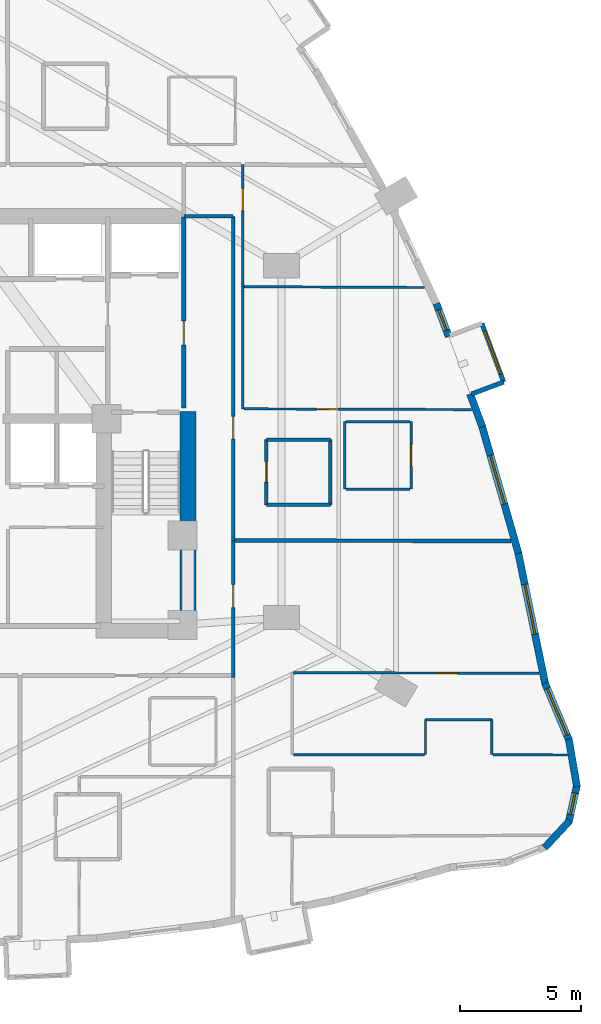
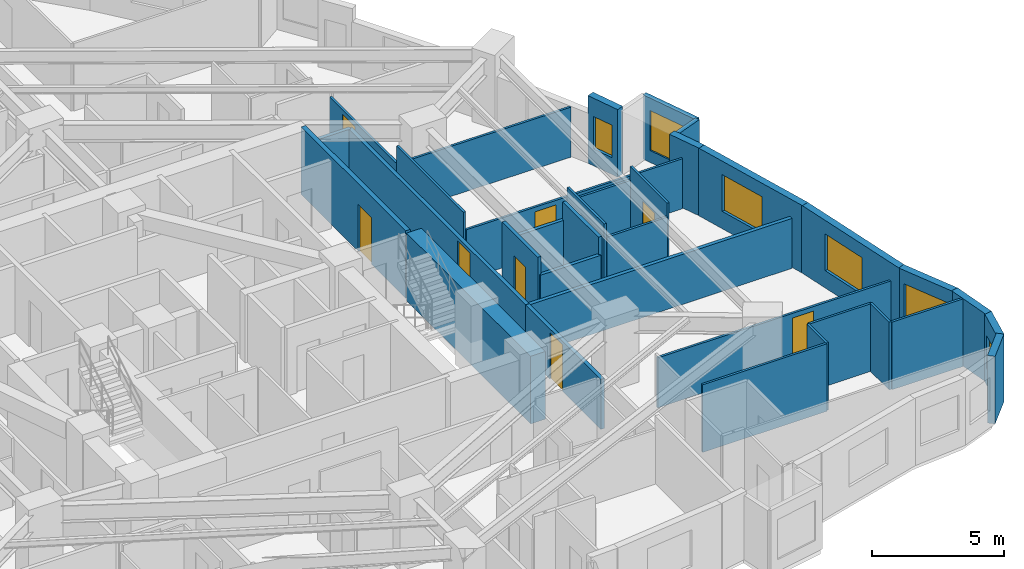
# One storey, part 12 of 16: 34 walls, 8 doors, 6 windows, 14 openings.
"""IFC4 building model written with IfcOpenShell, lengths in metres."""

import ifcopenshell
import ifcopenshell.guid

model = None  # the IFC model being written
_history = None  # IfcOwnerHistory: only IFC2X3 demands one
_inside = {}  # id of a spatial element -> (the spatial element, [elements in it])
_under = {}  # id of a project, library or spatial element -> (it, [spatial elements below it])
_declared = {}  # id of a project -> (the project, [libraries it declares])
_typed = {}  # id of a type object -> (the type object, [elements of that type])
_made_of = {}  # id of a material, layer set ... -> (it, [elements and type objects made of it])


def new_model(schema):
    """Start an empty IFC model of exactly this schema.

    Asked for "IFC4X3", IfcOpenShell would pick the latest addendum, in which some entities
    have other attributes; the version numbers below select the first issue.
    IFC2X3 requires an IfcOwnerHistory on every rooted entity: one is made here for all.
    """
    global model, _history
    if schema == "IFC4X3":
        model = ifcopenshell.file(schema_version=(4, 3, 0, 0))
    else:
        model = ifcopenshell.file(schema=schema)
    _inside.clear()
    _under.clear()
    _declared.clear()
    _typed.clear()
    _made_of.clear()
    _history = None
    if model.schema == "IFC2X3":
        org = make("IfcOrganization", Name="unknown")
        user = make(
            "IfcPersonAndOrganization",
            ThePerson=make("IfcPerson", FamilyName="unknown"),
            TheOrganization=org,
        )
        app = make(
            "IfcApplication",
            ApplicationDeveloper=org,
            Version="unknown",
            ApplicationFullName="unknown",
            ApplicationIdentifier="unknown",
        )
        _history = make(
            "IfcOwnerHistory",
            OwningUser=user,
            OwningApplication=app,
            ChangeAction="ADDED",
            CreationDate=0,
        )
    return model


def make(cls, **values):
    """One entity of the class cls with the attributes given. An attribute that is None is left unset."""
    return model.create_entity(
        cls, **{name: value for name, value in values.items() if value is not None}
    )


def rooted(cls, **values):
    """An entity with a GlobalId (a new one), such as an element, a storey or a relation."""
    return make(cls, GlobalId=ifcopenshell.guid.new(), OwnerHistory=_history, **values)


def si_unit(unit_type, name, prefix=None):
    """IfcSIUnit, for example si_unit("LENGTHUNIT", "METRE", prefix="MILLI")."""
    return make("IfcSIUnit", UnitType=unit_type, Prefix=prefix, Name=name)


def assignment(units):
    """IfcUnitAssignment: the units of a project."""
    return None if units is None else make("IfcUnitAssignment", Units=units)


def point(xyz):
    """IfcCartesianPoint."""
    return None if xyz is None else make("IfcCartesianPoint", Coordinates=xyz)


def direction(xyz):
    """IfcDirection."""
    return None if xyz is None else make("IfcDirection", DirectionRatios=xyz)


def frame(location, z_axis=None, x_axis=None):
    """IfcAxis2Placement3D, a coordinate frame: its origin and axes. An axis left out is left unset."""
    return make(
        "IfcAxis2Placement3D",
        Location=point(location),
        Axis=direction(z_axis),
        RefDirection=direction(x_axis),
    )


def frame_2d(location, x_axis=None):
    """IfcAxis2Placement2D, a coordinate frame in the plane: its origin and x axis."""
    return make(
        "IfcAxis2Placement2D", Location=point(location), RefDirection=direction(x_axis)
    )


def origin():
    """The frame at (0, 0, 0) with its axes left unset."""
    return frame((0.0, 0.0, 0.0))


def place(relative_to, where):
    """IfcLocalPlacement: puts the frame where relative to a parent placement (None: the world)."""
    return make(
        "IfcLocalPlacement", PlacementRelTo=relative_to, RelativePlacement=where
    )


def context(
    kind, dimensions, precision=None, world=None, true_north=None, identifier=None
):
    """IfcGeometricRepresentationContext, for example the 3D "Model" context."""
    return make(
        "IfcGeometricRepresentationContext",
        ContextIdentifier=identifier,
        ContextType=kind,
        CoordinateSpaceDimension=dimensions,
        Precision=precision,
        WorldCoordinateSystem=world,
        TrueNorth=true_north,
    )


def subcontext(parent, identifier, kind, view, scale=None):
    """IfcGeometricRepresentationSubContext, for example "Body" below "Model"."""
    return make(
        "IfcGeometricRepresentationSubContext",
        ContextIdentifier=identifier,
        ContextType=kind,
        ParentContext=parent,
        TargetScale=scale,
        TargetView=view,
    )


def project(units=None, contexts=None):
    """IfcProject with its units and contexts."""
    return rooted(
        "IfcProject",
        Name="project",
        RepresentationContexts=contexts,
        UnitsInContext=assignment(units),
    )


def spatial(cls, under=None, at=None, **own):
    """A site, building, storey or space (cls), placed at a placement, below another one or the project."""
    s = rooted(cls, ObjectPlacement=at, **own)
    if under is not None:
        _under.setdefault(under.id(), (under, []))[1].append(s)
    return s


def profile(cls, at=None, kind="AREA", **sizes):
    """A parametric profile (cls). Its sizes go by their IFC names, for example OverallWidth=200.0."""
    return make(cls, ProfileType=kind, Position=at, **sizes)


def rectangle(**sizes):
    """IfcRectangleProfileDef."""
    return profile("IfcRectangleProfileDef", **sizes)


def extrude(swept, where, along, depth):
    """IfcExtrudedAreaSolid: the profile swept, set in the frame where, extruded along a direction by depth."""
    return make(
        "IfcExtrudedAreaSolid",
        SweptArea=swept,
        Position=where,
        ExtrudedDirection=direction(along),
        Depth=depth,
    )


def shape(context_of_items, identifier, shape_type, items):
    """IfcShapeRepresentation: the items that make up one representation, for example the "Body"."""
    return make(
        "IfcShapeRepresentation",
        ContextOfItems=context_of_items,
        RepresentationIdentifier=identifier,
        RepresentationType=shape_type,
        Items=items,
    )


def material(Name=None, Category=None):
    """IfcMaterial."""
    return make("IfcMaterial", Name=Name, Category=Category)


def layer(
    of_material, thickness, ventilated=None, Name=None, Category=None, Priority=None
):
    """IfcMaterialLayer: one layer of a wall or slab, of a material (None: an air gap)."""
    return make(
        "IfcMaterialLayer",
        Material=of_material,
        LayerThickness=thickness,
        IsVentilated=ventilated,
        Name=Name,
        Category=Category,
        Priority=Priority,
    )


def layer_set(layers, Name=None):
    """IfcMaterialLayerSet."""
    return make("IfcMaterialLayerSet", MaterialLayers=layers, LayerSetName=Name)


def made_of(thing, what):
    """Note that an element or type object is made of a material, layer set ...; save() writes the relation."""
    if what is not None:
        _made_of.setdefault(what.id(), (what, []))[1].append(thing)
    return thing


def type_object(cls, material=None, **own):
    """A type object (cls), such as IfcWallType, which elements share."""
    return made_of(rooted(cls, **own), material)


def element(
    cls,
    number,
    at=None,
    inside=None,
    cuts=None,
    type_object=None,
    material=None,
    context=None,
    identifier="Body",
    shape_type=None,
    held_by="IfcProductDefinitionShape",
    body=None,
    shapes=None,
    **own,
):
    """One element of the class cls, such as IfcWall. Its Tag is "e" and its number.

    at: its placement. inside: the storey or other place that contains it. cuts: it is an
    opening in that element (IfcRelVoidsElement). A single representation is given by context,
    identifier, shape_type and body (its items); several are given by shapes. held_by: the class
    of the entity that holds the representations. save() writes the other relations.
    """
    e = rooted(cls, Tag="e%d" % number, ObjectPlacement=at, **own)
    if body is not None:
        shapes = [shape(context, identifier, shape_type, body)]
    if shapes is not None:
        e.Representation = make(held_by, Representations=shapes)
    if inside is not None:
        _inside.setdefault(inside.id(), (inside, []))[1].append(e)
    if cuts is not None:
        rooted(
            "IfcRelVoidsElement", RelatingBuildingElement=cuts, RelatedOpeningElement=e
        )
    if type_object is not None:
        _typed.setdefault(type_object.id(), (type_object, []))[1].append(e)
    return made_of(e, material)


def fill(opening, filler):
    """IfcRelFillsElement: the door or window that sits in an opening."""
    return rooted(
        "IfcRelFillsElement",
        RelatingOpeningElement=opening,
        RelatedBuildingElement=filler,
    )


def aggregate(whole, parts):
    """IfcRelAggregates: a whole, such as a stair, and the parts it consists of."""
    return rooted("IfcRelAggregates", RelatingObject=whole, RelatedObjects=parts)


def save(model, path):
    """Write the relations noted so far, then the file.

    IfcRelAggregates (storeys below a building ...), IfcRelContainedInSpatialStructure (elements
    in a storey), IfcRelDefinesByType, IfcRelAssociatesMaterial and IfcRelDeclares: one each for
    every whole, place, type object, material and project.
    """
    for whole, parts in _under.values():
        aggregate(whole, parts)
    for where, things in _inside.values():
        rooted(
            "IfcRelContainedInSpatialStructure",
            RelatedElements=things,
            RelatingStructure=where,
        )
    for kind, things in _typed.values():
        rooted("IfcRelDefinesByType", RelatedObjects=things, RelatingType=kind)
    for what, things in _made_of.values():
        rooted("IfcRelAssociatesMaterial", RelatedObjects=things, RelatingMaterial=what)
    for by, libraries in _declared.values():
        rooted("IfcRelDeclares", RelatingContext=by, RelatedDefinitions=libraries)
    model.write(path)


model = new_model("IFC4")

# Units and contexts
model_context = context("Model", 3, precision=1e-05, world=origin(), true_north=direction((0.0, 1.0)))
body_context = subcontext(model_context, "Body", "Model", "MODEL_VIEW")
ifc_project = project(units=[si_unit("LENGTHUNIT", "METRE"), si_unit("AREAUNIT", "SQUARE_METRE"), si_unit("VOLUMEUNIT", "CUBIC_METRE"), si_unit("PLANEANGLEUNIT", "RADIAN"), si_unit("MASSUNIT", "GRAM", prefix="KILO")], contexts=[model_context])

# Site, building, storey
site_placement = place(None, origin())
site = spatial("IfcSite", under=ifc_project, at=site_placement, CompositionType="ELEMENT")
building_placement = place(site_placement, origin())
building = spatial("IfcBuilding", under=site, at=building_placement, Name="Miruveldt Soraemaru", CompositionType="ELEMENT")
storey_placement = place(building_placement, frame((0.0, 0.0, 42.800048828125)))
storey = spatial("IfcBuildingStorey", under=building, at=storey_placement, Name="L11", CompositionType="ELEMENT", Elevation=42.800048828125)

# Wall
ifc_material_1 = material(Name="White powder-coated aluminium EN AW-6060 T6", Category="aluminium")
ifc_layer_1 = layer(ifc_material_1, 0.18994140625, Name="White powder-coated aluminium EN AW-6060 T6", Category="aluminium")
ifc_layer_set_1 = layer_set([ifc_layer_1], Name="White powder-coated aluminium EN AW-6060 T6")
wall_type_1 = type_object("IfcWallType", Name="WALL-BAY-ALU190", PredefinedType="SOLIDWALL", material=ifc_layer_set_1)
wall_1_placement = place(storey_placement, frame((64.49072265625, 45.074951171875, 0.0), z_axis=(0.0, 0.0, 1.0), x_axis=(0.937129361406, 0.348982177182, 0.0)))
element("IfcWall", 1, at=wall_1_placement, inside=storey, type_object=wall_type_1, Name="L11 Bay Window Side Cheek 4L", PredefinedType="SOLIDWALL", context=body_context, shape_type="SweptSolid", body=[
    extrude(rectangle(XDim=1.425048828125, YDim=0.18994140625, at=frame_2d((0.71240234375, 0.0))), origin(), (0.0, 0.0, 1.0), 2.974853515625),
])

# Wall, opening, window
wall_2_placement = place(storey_placement, frame((65.826171875, 45.572265625, 0.0), z_axis=(0.0, 0.0, 1.0), x_axis=(-0.349023333144, 0.937114034107, 0.0)))
wall_2 = element("IfcWall", 2, at=wall_2_placement, inside=storey, type_object=wall_type_1, Name="L11 Bay Window Front Frame 4", PredefinedType="SOLIDWALL", context=body_context, shape_type="SweptSolid", body=[
    extrude(rectangle(XDim=2.60009765625, YDim=0.18994140625, at=frame_2d((1.300048828125, 0.0))), origin(), (0.0, 0.0, 1.0), 2.974853515625),
])
opening_1_placement = place(wall_2_placement, frame((0.35009765625, 0.0, 0.550048828125)))
opening_1 = element("IfcOpeningElement", 3, at=opening_1_placement, cuts=wall_2, Name="Opening WN-6", PredefinedType="OPENING", context=body_context, shape_type="SweptSolid", body=[
    extrude(rectangle(XDim=1.89990234375, YDim=1.85009765625, at=frame_2d((0.949951171875, 0.925048828125))), frame((0.0, 0.10498046875, 0.0), z_axis=(0.0, -1.0, 0.0), x_axis=(1.0, 0.0, 0.0)), (0.0, 0.0, 1.0), 0.2099609375),
])
ifc_material_2 = material(Name="Triple low-e insulated glazing", Category="glass")
window_type_1 = type_object("IfcWindowType", Name="WIN-BAYW-1900x1850", PartitioningType="SINGLE_PANEL", PredefinedType="WINDOW", material=ifc_material_2)
window_1_placement = place(opening_1_placement, origin())
window_1 = element("IfcWindow", 4, at=window_1_placement, inside=storey, type_object=window_type_1, Name="L11 Projecting Bay Window 4", OverallHeight=1.85009765625, OverallWidth=1.89990234375, PartitioningType="SINGLE_PANEL", PredefinedType="WINDOW", context=body_context, shape_type="SweptSolid", body=[
    extrude(rectangle(XDim=1.89990234375, YDim=1.85009765625, at=frame_2d((0.949951171875, 0.925048828125))), frame((0.0, 0.030029296875, 0.0), z_axis=(0.0, -1.0, 0.0), x_axis=(1.0, 0.0, 0.0)), (0.0, 0.0, 1.0), 0.06005859375),
])
fill(opening_1, window_1)

# Walls
ifc_material_3 = material(Name="Concrete C80/95 (80 MPa)", Category="concrete")
ifc_layer_2 = layer(ifc_material_3, 0.64990234375, Name="Concrete C80/95 (80 MPa)", Category="concrete")
ifc_layer_set_2 = layer_set([ifc_layer_2], Name="Concrete C80/95 (80 MPa)")
wall_type_2 = type_object("IfcWallType", Name="WALL-CW-650", PredefinedType="SHEAR", material=ifc_layer_set_2)
wall_3_placement = place(storey_placement, frame((52.72509765625, 34.949951171875, 0.0), z_axis=(0.0, 0.0, 1.0), x_axis=(0.0, 1.0, 0.0)))
element("IfcWall", 5, at=wall_3_placement, inside=storey, type_object=wall_type_2, Name="L11 Central Core Shear Wall E1", PredefinedType="SHEAR", context=body_context, shape_type="SweptSolid", body=[
    extrude(rectangle(XDim=9.400146484375, YDim=0.64990234375, at=frame_2d((4.7001953125, 0.0))), origin(), (0.0, 0.0, 1.0), 3.125),
])
ifc_material_4 = material(Name="Precast concrete C45/55 (45 MPa)", Category="concrete")
ifc_layer_3 = layer(ifc_material_4, 0.300048828125, Name="Precast concrete C45/55 (45 MPa)", Category="concrete")
ifc_layer_set_3 = layer_set([ifc_layer_3], Name="Precast concrete C45/55 (45 MPa)")
wall_type_3 = type_object("IfcWallType", Name="WALL-EXT-PC300", PredefinedType="SOLIDWALL", material=ifc_layer_set_3)
wall_4_placement = place(storey_placement, frame((67.52294921875, 26.253173828125, 0.0), z_axis=(0.0, 0.0, 1.0), x_axis=(0.680191520786, 0.733034443291, 0.0)))
element("IfcWall", 6, at=wall_4_placement, inside=storey, type_object=wall_type_3, Name="L11 Precast Concrete Facade Wall 31", PredefinedType="SOLIDWALL", context=body_context, shape_type="SweptSolid", body=[
    extrude(rectangle(XDim=1.515380859375, YDim=0.300048828125, at=frame_2d((0.7578125, 0.0))), origin(), (0.0, 0.0, 1.0), 3.125),
])

# Wall, opening, window
wall_5_placement = place(storey_placement, frame((68.522216796875, 27.303955078125, 0.0), z_axis=(0.0, 0.0, 1.0), x_axis=(0.215694028495, 0.976461000794, 0.0)))
wall_5 = element("IfcWall", 7, at=wall_5_placement, inside=storey, type_object=wall_type_3, Name="L11 Precast Concrete Facade Wall 32", PredefinedType="SOLIDWALL", context=body_context, shape_type="SweptSolid", body=[
    extrude(rectangle(XDim=1.589111328125, YDim=0.300048828125, at=frame_2d((0.79443359375, 0.0))), origin(), (0.0, 0.0, 1.0), 3.125),
])
opening_2_placement = place(wall_5_placement, frame((0.343994140625, 0.0, 0.780029296875)))
opening_2 = element("IfcOpeningElement", 8, at=opening_2_placement, cuts=wall_5, Name="Opening WN-7", PredefinedType="OPENING", context=body_context, shape_type="SweptSolid", body=[
    extrude(rectangle(XDim=0.89990234375, YDim=1.5, at=frame_2d((0.449951171875, 0.75))), frame((0.0, 0.16015625, 0.0), z_axis=(0.0, -1.0, 0.0), x_axis=(1.0, 0.0, 0.0)), (0.0, 0.0, 1.0), 0.320068359375),
])
window_type_2 = type_object("IfcWindowType", Name="WIN-PUNCH-900x1500", PartitioningType="SINGLE_PANEL", PredefinedType="WINDOW", material=ifc_material_2)
window_2_placement = place(opening_2_placement, origin())
window_2 = element("IfcWindow", 9, at=window_2_placement, inside=storey, type_object=window_type_2, Name="L11 Punched Triple-Glazed Window 32.1", OverallHeight=1.5, OverallWidth=0.89990234375, PartitioningType="SINGLE_PANEL", PredefinedType="WINDOW", context=body_context, shape_type="SweptSolid", body=[
    extrude(rectangle(XDim=0.89990234375, YDim=1.5, at=frame_2d((0.449951171875, 0.75))), frame((0.0, 0.030029296875, 0.0), z_axis=(0.0, -1.0, 0.0), x_axis=(1.0, 0.0, 0.0)), (0.0, 0.0, 1.0), 0.06005859375),
])
fill(opening_2, window_2)

# Wall
wall_6_placement = place(storey_placement, frame((68.86328125, 28.787109375, 0.0), z_axis=(0.0, 0.0, 1.0), x_axis=(-0.169274776515, 0.985568896646, 0.0)))
element("IfcWall", 10, at=wall_6_placement, inside=storey, type_object=wall_type_3, Name="L11 Precast Concrete Facade Wall 33", PredefinedType="SOLIDWALL", context=body_context, shape_type="SweptSolid", body=[
    extrude(rectangle(XDim=2.0048828125, YDim=0.300048828125, at=frame_2d((1.00244140625, 0.0))), origin(), (0.0, 0.0, 1.0), 3.125),
])

# Wall, opening, window
wall_7_placement = place(storey_placement, frame((68.54345703125, 30.6962890625, 0.0), z_axis=(0.0, 0.0, 1.0), x_axis=(-0.388619532782, 0.921398317092, 0.0)))
wall_7 = element("IfcWall", 11, at=wall_7_placement, inside=storey, type_object=wall_type_3, Name="L11 Precast Concrete Facade Wall 34", PredefinedType="SOLIDWALL", context=body_context, shape_type="SweptSolid", body=[
    extrude(rectangle(XDim=2.599609375, YDim=0.300048828125, at=frame_2d((1.2998046875, 0.0))), origin(), (0.0, 0.0, 1.0), 3.125),
])
opening_3_placement = place(wall_7_placement, frame((0.25, 0.0, 0.800048828125)))
opening_3 = element("IfcOpeningElement", 12, at=opening_3_placement, cuts=wall_7, Name="Opening WN-1", PredefinedType="OPENING", context=body_context, shape_type="SweptSolid", body=[
    extrude(rectangle(XDim=2.10009765625, YDim=1.699951171875, at=frame_2d((1.050048828125, 0.85009765625))), frame((0.0, 0.16015625, 0.0), z_axis=(0.0, -1.0, 0.0), x_axis=(1.0, 0.0, 0.0)), (0.0, 0.0, 1.0), 0.320068359375),
])
window_type_3 = type_object("IfcWindowType", Name="WIN-PUNCH-2100x1700", PartitioningType="SINGLE_PANEL", PredefinedType="WINDOW", material=ifc_material_2)
window_3_placement = place(opening_3_placement, origin())
window_3 = element("IfcWindow", 13, at=window_3_placement, inside=storey, type_object=window_type_3, Name="L11 Punched Triple-Glazed Window 34.1", OverallHeight=1.699951171875, OverallWidth=2.10009765625, PartitioningType="SINGLE_PANEL", PredefinedType="WINDOW", context=body_context, shape_type="SweptSolid", body=[
    extrude(rectangle(XDim=2.10009765625, YDim=1.699951171875, at=frame_2d((1.050048828125, 0.85009765625))), frame((0.0, 0.030029296875, 0.0), z_axis=(0.0, -1.0, 0.0), x_axis=(1.0, 0.0, 0.0)), (0.0, 0.0, 1.0), 0.06005859375),
])
fill(opening_3, window_3)

wall_8_placement = place(storey_placement, frame((67.5537109375, 33.02490234375, 0.0), z_axis=(0.0, 0.0, 1.0), x_axis=(-0.201536618175, 0.979480980691, 0.0)))
wall_8 = element("IfcWall", 14, at=wall_8_placement, inside=storey, type_object=wall_type_3, Name="L11 Precast Concrete Facade Wall 35", PredefinedType="SOLIDWALL", context=body_context, shape_type="SweptSolid", body=[
    extrude(rectangle(XDim=5.626953125, YDim=0.300048828125, at=frame_2d((2.8134765625, 0.0))), origin(), (0.0, 0.0, 1.0), 3.125),
])
opening_4_placement = place(wall_8_placement, frame((2.139892578125, 0.0, 0.800048828125)))
opening_4 = element("IfcOpeningElement", 15, at=opening_4_placement, cuts=wall_8, Name="Opening WN-1", PredefinedType="OPENING", context=body_context, shape_type="SweptSolid", body=[
    extrude(rectangle(XDim=2.10009765625, YDim=1.699951171875, at=frame_2d((1.050048828125, 0.85009765625))), frame((0.0, 0.16015625, 0.0), z_axis=(0.0, -1.0, 0.0), x_axis=(1.0, 0.0, 0.0)), (0.0, 0.0, 1.0), 0.320068359375),
])
window_4_placement = place(opening_4_placement, origin())
window_4 = element("IfcWindow", 16, at=window_4_placement, inside=storey, type_object=window_type_3, Name="L11 Punched Triple-Glazed Window 35.1", OverallHeight=1.699951171875, OverallWidth=2.10009765625, PartitioningType="SINGLE_PANEL", PredefinedType="WINDOW", context=body_context, shape_type="SweptSolid", body=[
    extrude(rectangle(XDim=2.10009765625, YDim=1.699951171875, at=frame_2d((1.050048828125, 0.85009765625))), frame((0.0, 0.030029296875, 0.0), z_axis=(0.0, -1.0, 0.0), x_axis=(1.0, 0.0, 0.0)), (0.0, 0.0, 1.0), 0.06005859375),
])
fill(opening_4, window_4)

wall_9_placement = place(storey_placement, frame((66.436279296875, 38.468505859375, 0.0), z_axis=(0.0, 0.0, 1.0), x_axis=(-0.274971983341, 0.96145223926, 0.0)))
wall_9 = element("IfcWall", 17, at=wall_9_placement, inside=storey, type_object=wall_type_3, Name="L11 Precast Concrete Facade Wall 36", PredefinedType="SOLIDWALL", context=body_context, shape_type="SweptSolid", body=[
    extrude(rectangle(XDim=5.527099609375, YDim=0.300048828125, at=frame_2d((2.763671875, 0.0))), origin(), (0.0, 0.0, 1.0), 3.125),
])
opening_5_placement = place(wall_9_placement, frame((2.1220703125, 0.0, 0.800048828125)))
opening_5 = element("IfcOpeningElement", 18, at=opening_5_placement, cuts=wall_9, Name="Opening WN-1", PredefinedType="OPENING", context=body_context, shape_type="SweptSolid", body=[
    extrude(rectangle(XDim=2.10009765625, YDim=1.699951171875, at=frame_2d((1.050048828125, 0.85009765625))), frame((0.0, 0.16015625, 0.0), z_axis=(0.0, -1.0, 0.0), x_axis=(1.0, 0.0, 0.0)), (0.0, 0.0, 1.0), 0.320068359375),
])
window_5_placement = place(opening_5_placement, origin())
window_5 = element("IfcWindow", 19, at=window_5_placement, inside=storey, type_object=window_type_3, Name="L11 Punched Triple-Glazed Window 36.1", OverallHeight=1.699951171875, OverallWidth=2.10009765625, PartitioningType="SINGLE_PANEL", PredefinedType="WINDOW", context=body_context, shape_type="SweptSolid", body=[
    extrude(rectangle(XDim=2.10009765625, YDim=1.699951171875, at=frame_2d((1.050048828125, 0.85009765625))), frame((0.0, 0.030029296875, 0.0), z_axis=(0.0, -1.0, 0.0), x_axis=(1.0, 0.0, 0.0)), (0.0, 0.0, 1.0), 0.06005859375),
])
fill(opening_5, window_5)

# Wall
wall_10_placement = place(storey_placement, frame((64.938232421875, 43.7158203125, 0.0), z_axis=(0.0, 0.0, 1.0), x_axis=(-0.349051427871, 0.93710356989, 0.0)))
element("IfcWall", 20, at=wall_10_placement, inside=storey, type_object=wall_type_3, Name="L11 Precast Pier Wall 37A", PredefinedType="SOLIDWALL", context=body_context, shape_type="SweptSolid", body=[
    extrude(rectangle(XDim=1.459716796875, YDim=0.300048828125, at=frame_2d((0.72998046875, 0.0))), origin(), (0.0, 0.0, 1.0), 3.125),
])

# Wall, opening, window
wall_11_placement = place(storey_placement, frame((63.54248046875, 47.464111328125, 0.0), z_axis=(0.0, 0.0, 1.0), x_axis=(-0.349051427871, 0.93710356989, 0.0)))
wall_11 = element("IfcWall", 21, at=wall_11_placement, inside=storey, type_object=wall_type_3, Name="L11 Precast Pier Wall 37B", PredefinedType="SOLIDWALL", context=body_context, shape_type="SweptSolid", body=[
    extrude(rectangle(XDim=1.459716796875, YDim=0.300048828125, at=frame_2d((0.72998046875, 0.0))), origin(), (0.0, 0.0, 1.0), 3.125),
])
opening_6_placement = place(wall_11_placement, frame((0.280029296875, 0.0, 0.780029296875)))
opening_6 = element("IfcOpeningElement", 22, at=opening_6_placement, cuts=wall_11, Name="Opening WN-7", PredefinedType="OPENING", context=body_context, shape_type="SweptSolid", body=[
    extrude(rectangle(XDim=0.89990234375, YDim=1.5, at=frame_2d((0.449951171875, 0.75))), frame((0.0, 0.16015625, 0.0), z_axis=(0.0, -1.0, 0.0), x_axis=(1.0, 0.0, 0.0)), (0.0, 0.0, 1.0), 0.320068359375),
])
window_6_placement = place(opening_6_placement, origin())
window_6 = element("IfcWindow", 23, at=window_6_placement, inside=storey, type_object=window_type_2, Name="L11 Punched Triple-Glazed Window 37B.1", OverallHeight=1.5, OverallWidth=0.89990234375, PartitioningType="SINGLE_PANEL", PredefinedType="WINDOW", context=body_context, shape_type="SweptSolid", body=[
    extrude(rectangle(XDim=0.89990234375, YDim=1.5, at=frame_2d((0.449951171875, 0.75))), frame((0.0, 0.030029296875, 0.0), z_axis=(0.0, -1.0, 0.0), x_axis=(1.0, 0.0, 0.0)), (0.0, 0.0, 1.0), 0.06005859375),
])
fill(opening_6, window_6)

# Wall, opening, door
ifc_material_5 = material(Name="Gypsum plasterboard lining", Category="gypsum")
ifc_layer_4 = layer(ifc_material_5, 0.10009765625, Name="Gypsum plasterboard lining", Category="gypsum")
ifc_layer_set_4 = layer_set([ifc_layer_4], Name="Gypsum plasterboard lining")
wall_type_4 = type_object("IfcWallType", Name="WALL-INT-P100", PredefinedType="PARTITIONING", material=ifc_layer_set_4)
wall_12_placement = place(storey_placement, frame((57.10009765625, 33.510986328125, 0.0), z_axis=(0.0, 0.0, 1.0), x_axis=(0.999998593353, -0.001677287141, 0.0)))
wall_12 = element("IfcWall", 24, at=wall_12_placement, inside=storey, type_object=wall_type_4, Name="L11 Partition Wall 87", PredefinedType="PARTITIONING", context=body_context, shape_type="SweptSolid", body=[
    extrude(rectangle(XDim=10.18896484375, YDim=0.10009765625, at=frame_2d((5.094482421875, 0.0))), origin(), (0.0, 0.0, 1.0), 2.31298828125),
])
opening_7_placement = place(wall_12_placement, frame((5.89501953125, 0.0, 0.0)))
opening_7 = element("IfcOpeningElement", 25, at=opening_7_placement, cuts=wall_12, Name="Opening D3A", PredefinedType="OPENING", context=body_context, shape_type="SweptSolid", body=[
    extrude(rectangle(XDim=0.919921875, YDim=2.10009765625, at=frame_2d((0.4599609375, 1.050048828125))), frame((0.0, 0.06005859375, 0.0), z_axis=(0.0, -1.0, 0.0), x_axis=(1.0, 0.0, 0.0)), (0.0, 0.0, 1.0), 0.1201171875),
])
ifc_material_6 = material(Name="Anodised aluminium EN AW-6063 T6", Category="aluminium")
door_type_1 = type_object("IfcDoorType", Name="DOOR-INT-920", OperationType="NOTDEFINED", PredefinedType="DOOR", material=ifc_material_6)
door_1_placement = place(opening_7_placement, origin())
door_1 = element("IfcDoor", 26, at=door_1_placement, inside=storey, type_object=door_type_1, Name="L11 Unit 1107 BD3 Door", OperationType="SINGLE_SWING_RIGHT", OverallHeight=2.10009765625, OverallWidth=0.919921875, PredefinedType="DOOR", context=body_context, shape_type="SweptSolid", body=[
    extrude(rectangle(XDim=0.919921875, YDim=2.10009765625, at=frame_2d((0.4599609375, 1.050048828125))), frame((0.0, 0.02490234375, 0.0), z_axis=(0.0, -1.0, 0.0), x_axis=(1.0, 0.0, 0.0)), (0.0, 0.0, 1.0), 0.050048828125),
])
fill(opening_7, door_1)

wall_13_placement = place(storey_placement, frame((64.49609375, 44.429931640625, 0.0), z_axis=(0.0, 0.0, 1.0), x_axis=(-0.99999494691, 0.00317901782, 0.0)))
wall_13 = element("IfcWall", 27, at=wall_13_placement, inside=storey, type_object=wall_type_4, Name="L11 Partition Wall 74", PredefinedType="PARTITIONING", context=body_context, shape_type="SweptSolid", body=[
    extrude(rectangle(XDim=9.446044921875, YDim=0.10009765625, at=frame_2d((4.72314453125, 0.0))), origin(), (0.0, 0.0, 1.0), 2.31298828125),
])
opening_8_placement = place(wall_13_placement, frame((5.52294921875, 0.0, 0.0)))
opening_8 = element("IfcOpeningElement", 28, at=opening_8_placement, cuts=wall_13, Name="Opening D3A", PredefinedType="OPENING", context=body_context, shape_type="SweptSolid", body=[
    extrude(rectangle(XDim=0.919921875, YDim=2.10009765625, at=frame_2d((0.4599609375, 1.050048828125))), frame((0.0, 0.06005859375, 0.0), z_axis=(0.0, -1.0, 0.0), x_axis=(1.0, 0.0, 0.0)), (0.0, 0.0, 1.0), 0.1201171875),
])
door_2_placement = place(opening_8_placement, origin())
door_2 = element("IfcDoor", 29, at=door_2_placement, inside=storey, type_object=door_type_1, Name="L11 Unit 1106 BD1 Door", OperationType="SINGLE_SWING_LEFT", OverallHeight=2.10009765625, OverallWidth=0.919921875, PredefinedType="DOOR", context=body_context, shape_type="SweptSolid", body=[
    extrude(rectangle(XDim=0.919921875, YDim=2.10009765625, at=frame_2d((0.4599609375, 1.050048828125))), frame((0.0, 0.02490234375, 0.0), z_axis=(0.0, -1.0, 0.0), x_axis=(1.0, 0.0, 0.0)), (0.0, 0.0, 1.0), 0.050048828125),
])
fill(opening_8, door_2)

wall_14_placement = place(storey_placement, frame((55.0, 49.530029296875, 0.0), z_axis=(0.0, 0.0, 1.0), x_axis=(0.0, 1.0, 0.0)))
wall_14 = element("IfcWall", 30, at=wall_14_placement, inside=storey, type_object=wall_type_4, Name="L11 Partition Wall 76", PredefinedType="PARTITIONING", context=body_context, shape_type="SweptSolid", body=[
    extrude(rectangle(XDim=5.070068359375, YDim=0.10009765625, at=frame_2d((2.53515625, 0.0))), origin(), (0.0, 0.0, 1.0), 2.31298828125),
])
opening_9_placement = place(wall_14_placement, frame((3.155029296875, 0.0, 0.0)))
opening_9 = element("IfcOpeningElement", 31, at=opening_9_placement, cuts=wall_14, Name="Opening D3A", PredefinedType="OPENING", context=body_context, shape_type="SweptSolid", body=[
    extrude(rectangle(XDim=0.919921875, YDim=2.10009765625, at=frame_2d((0.4599609375, 1.050048828125))), frame((0.0, 0.06005859375, 0.0), z_axis=(0.0, -1.0, 0.0), x_axis=(1.0, 0.0, 0.0)), (0.0, 0.0, 1.0), 0.1201171875),
])
door_3_placement = place(opening_9_placement, origin())
door_3 = element("IfcDoor", 32, at=door_3_placement, inside=storey, type_object=door_type_1, Name="L11 Unit 1106 BD2 Door", OperationType="SINGLE_SWING_RIGHT", OverallHeight=2.10009765625, OverallWidth=0.919921875, PredefinedType="DOOR", context=body_context, shape_type="SweptSolid", body=[
    extrude(rectangle(XDim=0.919921875, YDim=2.10009765625, at=frame_2d((0.4599609375, 1.050048828125))), frame((0.0, 0.02490234375, 0.0), z_axis=(0.0, -1.0, 0.0), x_axis=(1.0, 0.0, 0.0)), (0.0, 0.0, 1.0), 0.050048828125),
])
fill(opening_9, door_3)

wall_15_placement = place(storey_placement, frame((61.97998046875, 41.1298828125, 0.0), z_axis=(0.0, 0.0, 1.0), x_axis=(0.0, 1.0, 0.0)))
wall_15 = element("IfcWall", 33, at=wall_15_placement, inside=storey, type_object=wall_type_4, Name="L11 Partition Wall 70", PredefinedType="PARTITIONING", context=body_context, shape_type="SweptSolid", body=[
    extrude(rectangle(XDim=2.800048828125, YDim=0.10009765625, at=frame_2d((1.39990234375, 0.0))), origin(), (0.0, 0.0, 1.0), 3.125),
])
opening_10_placement = place(wall_15_placement, frame((0.93994140625, 0.0, 0.0)))
opening_10 = element("IfcOpeningElement", 34, at=opening_10_placement, cuts=wall_15, Name="Opening D3A", PredefinedType="OPENING", context=body_context, shape_type="SweptSolid", body=[
    extrude(rectangle(XDim=0.919921875, YDim=2.10009765625, at=frame_2d((0.4599609375, 1.050048828125))), frame((0.0, 0.06005859375, 0.0), z_axis=(0.0, -1.0, 0.0), x_axis=(1.0, 0.0, 0.0)), (0.0, 0.0, 1.0), 0.1201171875),
])
door_4_placement = place(opening_10_placement, origin())
door_4 = element("IfcDoor", 35, at=door_4_placement, inside=storey, type_object=door_type_1, Name="L11 Unit 1106 KIT Door", OperationType="SINGLE_SWING_RIGHT", OverallHeight=2.10009765625, OverallWidth=0.919921875, PredefinedType="DOOR", context=body_context, shape_type="SweptSolid", body=[
    extrude(rectangle(XDim=0.919921875, YDim=2.10009765625, at=frame_2d((0.4599609375, 1.050048828125))), frame((0.0, 0.02490234375, 0.0), z_axis=(0.0, -1.0, 0.0), x_axis=(1.0, 0.0, 0.0)), (0.0, 0.0, 1.0), 0.050048828125),
])
fill(opening_10, door_4)

# Walls
wall_16_placement = place(storey_placement, frame((62.5390625, 49.493896484375, 0.0), z_axis=(0.0, 0.0, 1.0), x_axis=(-0.999988360972, 0.00482471972, 0.0)))
element("IfcWall", 36, at=wall_16_placement, inside=storey, type_object=wall_type_4, Name="L11 Partition Wall 78", PredefinedType="PARTITIONING", context=body_context, shape_type="SweptSolid", body=[
    extrude(rectangle(XDim=7.489013671875, YDim=0.10009765625, at=frame_2d((3.74462890625, 0.0))), origin(), (0.0, 0.0, 1.0), 2.31298828125),
])
wall_17_placement = place(storey_placement, frame((62.530029296875, 30.113037109375, 0.0), z_axis=(0.0, 0.0, 1.0), x_axis=(-1.0, 0.0, 0.0)))
element("IfcWall", 37, at=wall_17_placement, inside=storey, type_object=wall_type_4, Name="L11 Partition Wall 85", PredefinedType="PARTITIONING", context=body_context, shape_type="SweptSolid", body=[
    extrude(rectangle(XDim=5.429931640625, YDim=0.10009765625, at=frame_2d((2.71484375, 0.0))), origin(), (0.0, 0.0, 1.0), 3.125),
])
wall_18_placement = place(storey_placement, frame((55.0, 44.4599609375, 0.0), z_axis=(0.0, 0.0, 1.0), x_axis=(0.0, 1.0, 0.0)))
element("IfcWall", 38, at=wall_18_placement, inside=storey, type_object=wall_type_4, Name="L11 Partition Wall 75", PredefinedType="PARTITIONING", context=body_context, shape_type="SweptSolid", body=[
    extrude(rectangle(XDim=5.070068359375, YDim=0.10009765625, at=frame_2d((2.53515625, 0.0))), origin(), (0.0, 0.0, 1.0), 3.125),
])
wall_19_placement = place(storey_placement, frame((68.470947265625, 30.09912109375, 0.0), z_axis=(0.0, 0.0, 1.0), x_axis=(-0.999989866089, 0.004501968436, 0.0)))
element("IfcWall", 39, at=wall_19_placement, inside=storey, type_object=wall_type_4, Name="L11 Partition Wall 84", PredefinedType="PARTITIONING", context=body_context, shape_type="SweptSolid", body=[
    extrude(rectangle(XDim=3.091064453125, YDim=0.10009765625, at=frame_2d((1.54541015625, 0.0))), origin(), (0.0, 0.0, 1.0), 3.125),
])
wall_20_placement = place(storey_placement, frame((59.22998046875, 43.929931640625, 0.0), z_axis=(0.0, 0.0, 1.0), x_axis=(0.0, -1.0, 0.0)))
element("IfcWall", 40, at=wall_20_placement, inside=storey, type_object=wall_type_4, Name="L11 Partition Wall 72", PredefinedType="PARTITIONING", context=body_context, shape_type="SweptSolid", body=[
    extrude(rectangle(XDim=2.800048828125, YDim=0.10009765625, at=frame_2d((1.39990234375, 0.0))), origin(), (0.0, 0.0, 1.0), 3.125),
])
wall_21_placement = place(storey_placement, frame((65.330078125, 31.569091796875, 0.0), z_axis=(0.0, 0.0, 1.0), x_axis=(-1.0, 0.0, 0.0)))
element("IfcWall", 41, at=wall_21_placement, inside=storey, type_object=wall_type_4, Name="L11 Partition Wall 127", PredefinedType="PARTITIONING", context=body_context, shape_type="SweptSolid", body=[
    extrude(rectangle(XDim=2.75, YDim=0.10009765625, at=frame_2d((1.375, 0.0))), origin(), (0.0, 0.0, 1.0), 3.125),
])
for number, where, z_axis, x_axis, name in (
    (42, (61.929931640625, 43.929931640625, 0.0), (0.0, 0.0, 1.0), (-1.0, 0.0, 0.0), "L11 Partition Wall 71"),
    (43, (59.280029296875, 41.1298828125, 0.0), (0.0, 0.0, 1.0), (1.0, 0.0, 0.0), "L11 Partition Wall 73"),
):
    element("IfcWall", number, at=place(storey_placement, frame(where, z_axis=z_axis, x_axis=x_axis)), inside=storey, type_object=wall_type_4, Name=name, PredefinedType="PARTITIONING", context=body_context, shape_type="SweptSolid", body=[
        extrude(rectangle(XDim=2.64990234375, YDim=0.10009765625, at=frame_2d((1.324951171875, 0.0))), origin(), (0.0, 0.0, 1.0), 2.512939453125),
    ])
for number, where, z_axis, x_axis, name in (
    (44, (65.330078125, 30.113037109375, 0.0), (0.0, 0.0, 1.0), (0.0, 1.0, 0.0), "L11 Partition Wall 126"),
    (45, (62.580078125, 31.569091796875, 0.0), (0.0, 0.0, 1.0), (0.0, -1.0, 0.0), "L11 Partition Wall 128"),
):
    element("IfcWall", number, at=place(storey_placement, frame(where, z_axis=z_axis, x_axis=x_axis)), inside=storey, type_object=wall_type_4, Name=name, PredefinedType="PARTITIONING", context=body_context, shape_type="SweptSolid", body=[
        extrude(rectangle(XDim=1.4560546875, YDim=0.10009765625, at=frame_2d((0.72802734375, 0.0))), origin(), (0.0, 0.0, 1.0), 3.125),
    ])

# Wall, opening, door
ifc_layer_5 = layer(ifc_material_5, 0.14990234375, Name="Gypsum plasterboard lining", Category="gypsum")
ifc_layer_set_5 = layer_set([ifc_layer_5], Name="Gypsum plasterboard lining")
wall_type_5 = type_object("IfcWallType", Name="WALL-INT-PLUMB", PredefinedType="PLUMBINGWALL", material=ifc_layer_set_5)
wall_22_placement = place(storey_placement, frame((55.97998046875, 43.179931640625, 0.0), z_axis=(0.0, 0.0, 1.0), x_axis=(0.0, -1.0, 0.0)))
wall_22 = element("IfcWall", 46, at=wall_22_placement, inside=storey, type_object=wall_type_5, Name="L11 Partition Wall 68", PredefinedType="PLUMBINGWALL", context=body_context, shape_type="SweptSolid", body=[
    extrude(rectangle(XDim=2.699951171875, YDim=0.14990234375, at=frame_2d((1.35009765625, 0.0))), origin(), (0.0, 0.0, 1.0), 3.125),
])
opening_11_placement = place(wall_22_placement, frame((0.909912109375, 0.0, 0.0)))
opening_11 = element("IfcOpeningElement", 47, at=opening_11_placement, cuts=wall_22, Name="Opening FD3", PredefinedType="OPENING", context=body_context, shape_type="SweptSolid", body=[
    extrude(rectangle(XDim=0.85009765625, YDim=2.10009765625, at=frame_2d((0.425048828125, 1.050048828125))), frame((0.0, 0.0849609375, 0.0), z_axis=(0.0, -1.0, 0.0), x_axis=(1.0, 0.0, 0.0)), (0.0, 0.0, 1.0), 0.169921875),
])
door_type_2 = type_object("IfcDoorType", Name="DOOR-FD3-850", OperationType="NOTDEFINED", PredefinedType="DOOR", material=ifc_material_6)
door_5_placement = place(opening_11_placement, origin())
door_5 = element("IfcDoor", 48, at=door_5_placement, inside=storey, type_object=door_type_2, Name="L11 Unit 1106 BTH Door", OperationType="SINGLE_SWING_LEFT", OverallHeight=2.10009765625, OverallWidth=0.85009765625, PredefinedType="DOOR", context=body_context, shape_type="SweptSolid", body=[
    extrude(rectangle(XDim=0.85009765625, YDim=2.10009765625, at=frame_2d((0.425048828125, 1.050048828125))), frame((0.0, 0.02490234375, 0.0), z_axis=(0.0, -1.0, 0.0), x_axis=(1.0, 0.0, 0.0)), (0.0, 0.0, 1.0), 0.050048828125),
])
fill(opening_11, door_5)

# Walls
wall_23_placement = place(storey_placement, frame((58.6298828125, 40.47998046875, 0.0), z_axis=(0.0, 0.0, 1.0), x_axis=(0.0, 1.0, 0.0)))
element("IfcWall", 49, at=wall_23_placement, inside=storey, type_object=wall_type_5, Name="L11 Partition Wall 66", PredefinedType="PLUMBINGWALL", context=body_context, shape_type="SweptSolid", body=[
    extrude(rectangle(XDim=2.699951171875, YDim=0.14990234375, at=frame_2d((1.35009765625, 0.0))), origin(), (0.0, 0.0, 1.0), 3.125),
])
for number, where, z_axis, x_axis, name in (
    (50, (58.6298828125, 43.179931640625, 0.0), (0.0, 0.0, 1.0), (-1.0, 0.0, 0.0), "L11 Partition Wall 67"),
    (51, (55.97998046875, 40.47998046875, 0.0), (0.0, 0.0, 1.0), (1.0, 0.0, 0.0), "L11 Partition Wall 69"),
):
    element("IfcWall", number, at=place(storey_placement, frame(where, z_axis=z_axis, x_axis=x_axis)), inside=storey, type_object=wall_type_5, Name=name, PredefinedType="PLUMBINGWALL", context=body_context, shape_type="SweptSolid", body=[
        extrude(rectangle(XDim=2.64990234375, YDim=0.14990234375, at=frame_2d((1.324951171875, 0.0))), origin(), (0.0, 0.0, 1.0), 2.31298828125),
    ])

# Wall, opening, door
ifc_material_7 = material(Name="Concrete C40/50 (40 MPa)", Category="concrete")
ifc_layer_6 = layer(ifc_material_7, 0.159912109375, Name="Concrete C40/50 (40 MPa)", Category="concrete")
ifc_layer_set_6 = layer_set([ifc_layer_6], Name="Concrete C40/50 (40 MPa)")
wall_type_6 = type_object("IfcWallType", Name="WALL-INT-RC160", PredefinedType="SOLIDWALL", material=ifc_layer_set_6)
wall_24_placement = place(storey_placement, frame((54.60009765625, 39.0029296875, 0.0), z_axis=(0.0, 0.0, 1.0), x_axis=(0.0, 1.0, 0.0)))
wall_24 = element("IfcWall", 52, at=wall_24_placement, inside=storey, type_object=wall_type_6, Name="L11 Partition Wall 6", PredefinedType="SOLIDWALL", context=body_context, shape_type="SweptSolid", body=[
    extrude(rectangle(XDim=13.447021484375, YDim=0.159912109375, at=frame_2d((6.7236328125, 0.0))), origin(), (0.0, 0.0, 1.0), 2.31298828125),
])
opening_12_placement = place(wall_24_placement, frame((4.198974609375, 0.0, 0.0)))
opening_12 = element("IfcOpeningElement", 53, at=opening_12_placement, cuts=wall_24, Name="Opening FD2", PredefinedType="OPENING", context=body_context, shape_type="SweptSolid", body=[
    extrude(rectangle(XDim=0.949951171875, YDim=2.14990234375, at=frame_2d((0.47509765625, 1.074951171875))), frame((0.0, 0.08984375, 0.0), z_axis=(0.0, -1.0, 0.0), x_axis=(1.0, 0.0, 0.0)), (0.0, 0.0, 1.0), 0.179931640625),
])
door_type_3 = type_object("IfcDoorType", Name="DOOR-FD2-950", OperationType="NOTDEFINED", PredefinedType="DOOR", material=ifc_material_6)
door_6_placement = place(opening_12_placement, origin())
door_6 = element("IfcDoor", 54, at=door_6_placement, inside=storey, type_object=door_type_3, Name="L11 Unit 1106 Entrance Fire Door", OperationType="SINGLE_SWING_RIGHT", OverallHeight=2.14990234375, OverallWidth=0.949951171875, PredefinedType="DOOR", context=body_context, shape_type="SweptSolid", body=[
    extrude(rectangle(XDim=0.949951171875, YDim=2.14990234375, at=frame_2d((0.47509765625, 1.074951171875))), frame((0.0, 0.02490234375, 0.0), z_axis=(0.0, -1.0, 0.0), x_axis=(1.0, 0.0, 0.0)), (0.0, 0.0, 1.0), 0.050048828125),
])
fill(opening_12, door_6)

wall_25_placement = place(storey_placement, frame((54.60009765625, 33.31005859375, 0.0), z_axis=(0.0, 0.0, 1.0), x_axis=(0.0, 1.0, 0.0)))
wall_25 = element("IfcWall", 55, at=wall_25_placement, inside=storey, type_object=wall_type_6, Name="L11 Partition Wall 9", PredefinedType="SOLIDWALL", context=body_context, shape_type="SweptSolid", body=[
    extrude(rectangle(XDim=5.68603515625, YDim=0.159912109375, at=frame_2d((2.843017578125, 0.0))), origin(), (0.0, 0.0, 1.0), 2.31298828125),
])
opening_13_placement = place(wall_25_placement, frame((2.907958984375, 0.0, 0.0)))
opening_13 = element("IfcOpeningElement", 56, at=opening_13_placement, cuts=wall_25, Name="Opening FD2", PredefinedType="OPENING", context=body_context, shape_type="SweptSolid", body=[
    extrude(rectangle(XDim=0.949951171875, YDim=2.14990234375, at=frame_2d((0.47509765625, 1.074951171875))), frame((0.0, 0.08984375, 0.0), z_axis=(0.0, -1.0, 0.0), x_axis=(1.0, 0.0, 0.0)), (0.0, 0.0, 1.0), 0.179931640625),
])
door_7_placement = place(opening_13_placement, origin())
door_7 = element("IfcDoor", 57, at=door_7_placement, inside=storey, type_object=door_type_3, Name="L11 Unit 1107 Entrance Fire Door", OperationType="SINGLE_SWING_LEFT", OverallHeight=2.14990234375, OverallWidth=0.949951171875, PredefinedType="DOOR", context=body_context, shape_type="SweptSolid", body=[
    extrude(rectangle(XDim=0.949951171875, YDim=2.14990234375, at=frame_2d((0.47509765625, 1.074951171875))), frame((0.0, 0.02490234375, 0.0), z_axis=(0.0, -1.0, 0.0), x_axis=(1.0, 0.0, 0.0)), (0.0, 0.0, 1.0), 0.050048828125),
])
fill(opening_13, door_7)

# Walls
wall_26_placement = place(storey_placement, frame((54.68408203125, 39.0, 0.0), z_axis=(0.0, 0.0, 1.0), x_axis=(0.999998153813, -0.001921554195, 0.0)))
element("IfcWall", 58, at=wall_26_placement, inside=storey, type_object=wall_type_6, Name="L11 Partition Wall 77", PredefinedType="SOLIDWALL", context=body_context, shape_type="SweptSolid", body=[
    extrude(rectangle(XDim=11.434814453125, YDim=0.159912109375, at=frame_2d((5.71728515625, 0.0))), origin(), (0.0, 0.0, 1.0), 2.31298828125),
])
wall_27_placement = place(storey_placement, frame((54.60009765625, 52.449951171875, 0.0), z_axis=(0.0, 0.0, 1.0), x_axis=(-1.0, 0.0, 0.0)))
element("IfcWall", 59, at=wall_27_placement, inside=storey, type_object=wall_type_6, Name="L11 Partition Wall 7", PredefinedType="SOLIDWALL", context=body_context, shape_type="SweptSolid", body=[
    extrude(rectangle(XDim=2.050048828125, YDim=0.159912109375, at=frame_2d((1.02490234375, 0.0))), origin(), (0.0, 0.0, 1.0), 2.31298828125),
])

# Wall, opening, door
ifc_layer_7 = layer(ifc_material_7, 0.199951171875, Name="Concrete C40/50 (40 MPa)", Category="concrete")
ifc_layer_set_7 = layer_set([ifc_layer_7], Name="Concrete C40/50 (40 MPa)")
wall_type_7 = type_object("IfcWallType", Name="WALL-INT-RC200", PredefinedType="SOLIDWALL", material=ifc_layer_set_7)
wall_28_placement = place(storey_placement, frame((52.550048828125, 44.5, 0.0), z_axis=(0.0, 0.0, 1.0), x_axis=(0.0, 1.0, 0.0)))
wall_28 = element("IfcWall", 60, at=wall_28_placement, inside=storey, type_object=wall_type_7, Name="L11 Core Compartment Wall FFE-OUT", PredefinedType="SOLIDWALL", context=body_context, shape_type="SweptSolid", body=[
    extrude(rectangle(XDim=7.919921875, YDim=0.199951171875, at=frame_2d((3.9599609375, 0.0))), origin(), (0.0, 0.0, 1.0), 3.125),
])
opening_14_placement = place(wall_28_placement, frame((2.60009765625, 0.0, 0.0)))
opening_14 = element("IfcOpeningElement", 61, at=opening_14_placement, cuts=wall_28, Name="Opening FD1", PredefinedType="OPENING", context=body_context, shape_type="SweptSolid", body=[
    extrude(rectangle(XDim=1.0, YDim=2.14990234375, at=frame_2d((0.5, 1.074951171875))), frame((0.0, 0.10986328125, 0.0), z_axis=(0.0, -1.0, 0.0), x_axis=(1.0, 0.0, 0.0)), (0.0, 0.0, 1.0), 0.219970703125),
])
door_type_4 = type_object("IfcDoorType", Name="DOOR-FD1-1000", OperationType="NOTDEFINED", PredefinedType="DOOR", material=ifc_material_6)
door_8_placement = place(opening_14_placement, frame((1.0, 0.0, 0.0), z_axis=(0.0, 0.0, 1.0), x_axis=(-1.0, 0.0, 0.0)))
door_8 = element("IfcDoor", 62, at=door_8_placement, inside=storey, type_object=door_type_4, Name="L11 East Firefighting Lobby Exit Door", OperationType="SINGLE_SWING_RIGHT", OverallHeight=2.14990234375, OverallWidth=1.0, PredefinedType="DOOR", context=body_context, shape_type="SweptSolid", body=[
    extrude(rectangle(XDim=1.0, YDim=2.14990234375, at=frame_2d((0.5, 1.074951171875))), frame((0.0, 0.02490234375, 0.0), z_axis=(0.0, -1.0, 0.0), x_axis=(1.0, 0.0, 0.0)), (0.0, 0.0, 1.0), 0.050048828125),
])
fill(opening_14, door_8)

save(model, "model.ifc")
